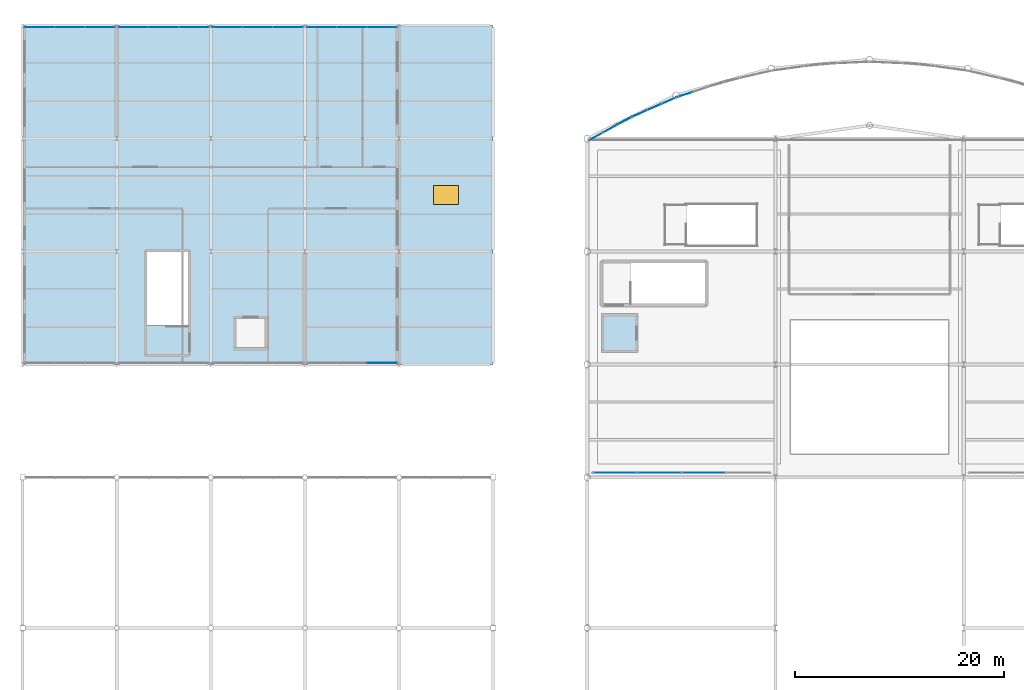
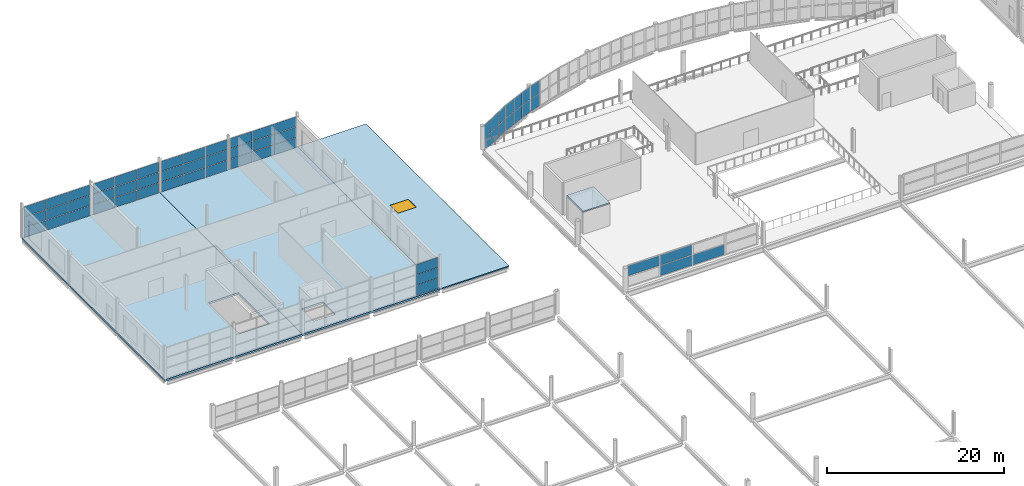
# One storey, part 115 of 134: 57 plates, 4 slabs, 1 window, 1 opening, 9 elements without a shape of their own.
"""IFC4 building model written with IfcOpenShell, lengths in metres."""

from ifc_helpers import new_model, si_unit, direction, frame, origin, origin_2d, place, context, subcontext, project, spatial, polyline, rectangle, outline, extrude, material, layer, layer_set, type_object, element, fill, aggregate, save


model = new_model("IFC4")

# Units and contexts
model_context = context("Model", 3, precision=1e-05, world=origin(), true_north=direction((0.0, 1.0)))
body_context = subcontext(model_context, "Body", "Model", "MODEL_VIEW")
ifc_project = project(units=[si_unit("LENGTHUNIT", "METRE"), si_unit("AREAUNIT", "SQUARE_METRE"), si_unit("VOLUMEUNIT", "CUBIC_METRE"), si_unit("PLANEANGLEUNIT", "RADIAN"), si_unit("MASSUNIT", "GRAM", prefix="KILO")], contexts=[model_context])

# Site, building, storey
site_placement = place(None, origin())
site = spatial("IfcSite", under=ifc_project, at=site_placement, CompositionType="ELEMENT")
building_placement = place(site_placement, origin())
building = spatial("IfcBuilding", under=site, at=building_placement, Name="Tamarisk Ironworks Central Station", CompositionType="ELEMENT")
storey_placement = place(building_placement, frame((0.0, 0.0, 12.60009765625)))
storey = spatial("IfcBuildingStorey", under=building, at=storey_placement, Name="L02", CompositionType="ELEMENT", Elevation=12.60009765625)

# Curtain wall, plates
ifc_material_1 = material(Name="Anodized aluminium alloy 6063-T6", Category="aluminium")
ifc_layer_1 = layer(ifc_material_1, 0.179931640625)
ifc_layer_set_1 = layer_set([ifc_layer_1], Name="Anodized aluminium alloy 6063-T6")
curtain_wall_type_1 = type_object("IfcCurtainWallType", Name="CW-24", PredefinedType="USERDEFINED", material=ifc_layer_set_1)
curtain_wall_1_placement = place(storey_placement, origin())
curtain_wall_1 = element("IfcCurtainWall", 1, at=curtain_wall_1_placement, inside=storey, type_object=curtain_wall_type_1, Name="Mezzanine south-west acoustic screen", ObjectType="GLAZED CURTAIN WALL", PredefinedType="USERDEFINED")
ifc_material_2 = material(Name="Laminated solar-control low-E glass", Category="glass")
ifc_layer_2 = layer(ifc_material_2, 0.02001953125)
ifc_layer_set_2 = layer_set([ifc_layer_2], Name="Laminated solar-control low-E glass")
plate_type_1 = type_object("IfcPlateType", Name="PL-CWP20", PredefinedType="CURTAIN_PANEL", material=ifc_layer_set_2)
plate_1_placement = place(storey_placement, frame((56.643798828125, 79.64990234375, 1.531494140625), z_axis=(0.0, 0.0, 1.0), x_axis=(1.0, 0.0, 0.0)))
plate_1 = element("IfcPlate", 2, at=plate_1_placement, type_object=plate_type_1, Name="CW24 panel 1.2", PredefinedType="CURTAIN_PANEL", context=body_context, shape_type="SweptSolid", body=[
    extrude(rectangle(XDim=4.1494140625, YDim=0.02001953125, at=origin_2d()), origin(), (0.0, 0.0, 1.0), 1.3994140625),
])
plate_2_placement = place(storey_placement, frame((60.875, 79.64990234375, 0.06884765625), z_axis=(0.0, 0.0, 1.0), x_axis=(1.0, 0.0, 0.0)))
plate_2 = element("IfcPlate", 3, at=plate_2_placement, type_object=plate_type_1, Name="CW24 panel 2.1", PredefinedType="CURTAIN_PANEL", context=body_context, shape_type="SweptSolid", body=[
    extrude(rectangle(XDim=4.18701171875, YDim=0.02001953125, at=origin_2d()), origin(), (0.0, 0.0, 1.0), 1.3994140625),
])
plate_3_placement = place(storey_placement, frame((60.875, 79.64990234375, 1.531494140625), z_axis=(0.0, 0.0, 1.0), x_axis=(1.0, 0.0, 0.0)))
plate_3 = element("IfcPlate", 4, at=plate_3_placement, type_object=plate_type_1, Name="CW24 panel 2.2", PredefinedType="CURTAIN_PANEL", context=body_context, shape_type="SweptSolid", body=[
    extrude(rectangle(XDim=4.18701171875, YDim=0.02001953125, at=origin_2d()), origin(), (0.0, 0.0, 1.0), 1.3994140625),
])
plate_4_placement = place(storey_placement, frame((65.125, 79.64990234375, 0.06884765625), z_axis=(0.0, 0.0, 1.0), x_axis=(1.0, 0.0, 0.0)))
plate_4 = element("IfcPlate", 5, at=plate_4_placement, type_object=plate_type_1, Name="CW24 panel 3.1", PredefinedType="CURTAIN_PANEL", context=body_context, shape_type="SweptSolid", body=[
    extrude(rectangle(XDim=4.18701171875, YDim=0.02001953125, at=origin_2d()), origin(), (0.0, 0.0, 1.0), 1.3994140625),
])
aggregate(curtain_wall_1, [plate_1, plate_2, plate_3, plate_4])

ifc_layer_3 = layer(ifc_material_1, 0.179931640625)
ifc_layer_set_3 = layer_set([ifc_layer_3], Name="Anodized aluminium alloy 6063-T6")
curtain_wall_type_2 = type_object("IfcCurtainWallType", Name="CW-03", PredefinedType="USERDEFINED", material=ifc_layer_set_3)
curtain_wall_2_placement = place(storey_placement, origin())
curtain_wall_2 = element("IfcCurtainWall", 6, at=curtain_wall_2_placement, inside=storey, type_object=curtain_wall_type_2, Name="NN rounded entrance hall L02 curtain wall bay 01", ObjectType="GLAZED CURTAIN WALL", PredefinedType="USERDEFINED")
ifc_layer_4 = layer(ifc_material_2, 0.028076171875)
ifc_layer_set_4 = layer_set([ifc_layer_4], Name="Laminated solar-control low-E glass")
plate_type_2 = type_object("IfcPlateType", Name="PL-CWP28", PredefinedType="CURTAIN_PANEL", material=ifc_layer_set_4)
plate_5_placement = place(storey_placement, frame((54.82080078125, 111.798583984375, -0.316162109375), z_axis=(0.0, 0.0, 1.0), x_axis=(0.877374910495, 0.47980544644, 0.0)))
plate_5 = element("IfcPlate", 7, at=plate_5_placement, type_object=plate_type_2, Name="CW03 panel 1.1", PredefinedType="CURTAIN_PANEL", context=body_context, shape_type="SweptSolid", body=[
    extrude(rectangle(XDim=1.469482421875, YDim=0.028076171875, at=origin_2d()), origin(), (0.0, 0.0, 1.0), 1.73193359375),
])
plate_6_placement = place(storey_placement, frame((54.82080078125, 111.798583984375, 1.47900390625), z_axis=(0.0, 0.0, 1.0), x_axis=(0.877374910495, 0.47980544644, 0.0)))
plate_6 = element("IfcPlate", 8, at=plate_6_placement, type_object=plate_type_2, Name="CW03 panel 1.2", PredefinedType="CURTAIN_PANEL", context=body_context, shape_type="SweptSolid", body=[
    extrude(rectangle(XDim=1.469482421875, YDim=0.028076171875, at=origin_2d()), origin(), (0.0, 0.0, 1.0), 1.73193359375),
])
plate_7_placement = place(storey_placement, frame((56.181640625, 112.542724609375, -0.316162109375), z_axis=(0.0, 0.0, 1.0), x_axis=(0.877374910495, 0.47980544644, 0.0)))
plate_7 = element("IfcPlate", 9, at=plate_7_placement, type_object=plate_type_2, Name="CW03 panel 2.1", PredefinedType="CURTAIN_PANEL", context=body_context, shape_type="SweptSolid", body=[
    extrude(rectangle(XDim=1.5068359375, YDim=0.028076171875, at=origin_2d()), origin(), (0.0, 0.0, 1.0), 1.73193359375),
])
plate_8_placement = place(storey_placement, frame((56.181640625, 112.542724609375, 1.47900390625), z_axis=(0.0, 0.0, 1.0), x_axis=(0.877374910495, 0.47980544644, 0.0)))
plate_8 = element("IfcPlate", 10, at=plate_8_placement, type_object=plate_type_2, Name="CW03 panel 2.2", PredefinedType="CURTAIN_PANEL", context=body_context, shape_type="SweptSolid", body=[
    extrude(rectangle(XDim=1.5068359375, YDim=0.028076171875, at=origin_2d()), origin(), (0.0, 0.0, 1.0), 1.73193359375),
])
plate_9_placement = place(storey_placement, frame((57.542724609375, 113.286865234375, -0.316162109375), z_axis=(0.0, 0.0, 1.0), x_axis=(0.877374910495, 0.47980544644, 0.0)))
plate_9 = element("IfcPlate", 11, at=plate_9_placement, type_object=plate_type_2, Name="CW03 panel 3.1", PredefinedType="CURTAIN_PANEL", context=body_context, shape_type="SweptSolid", body=[
    extrude(rectangle(XDim=1.469482421875, YDim=0.028076171875, at=origin_2d()), origin(), (0.0, 0.0, 1.0), 1.73193359375),
])
plate_10_placement = place(storey_placement, frame((57.542724609375, 113.286865234375, 1.47900390625), z_axis=(0.0, 0.0, 1.0), x_axis=(0.877374910495, 0.47980544644, 0.0)))
plate_10 = element("IfcPlate", 12, at=plate_10_placement, type_object=plate_type_2, Name="CW03 panel 3.2", PredefinedType="CURTAIN_PANEL", context=body_context, shape_type="SweptSolid", body=[
    extrude(rectangle(XDim=1.469482421875, YDim=0.028076171875, at=origin_2d()), origin(), (0.0, 0.0, 1.0), 1.73193359375),
])
aggregate(curtain_wall_2, [plate_5, plate_6, plate_7, plate_8, plate_9, plate_10])

curtain_wall_3_placement = place(storey_placement, origin())
curtain_wall_3 = element("IfcCurtainWall", 13, at=curtain_wall_3_placement, inside=storey, type_object=curtain_wall_type_2, Name="NN rounded entrance hall L02 curtain wall bay 02", ObjectType="GLAZED CURTAIN WALL", PredefinedType="USERDEFINED")
plate_11_placement = place(storey_placement, frame((58.985107421875, 113.992431640625, -0.316162109375), z_axis=(0.0, 0.0, 1.0), x_axis=(0.917352033503, 0.398076935564, 0.0)))
plate_11 = element("IfcPlate", 14, at=plate_11_placement, type_object=plate_type_2, Name="CW03 panel 1.1", PredefinedType="CURTAIN_PANEL", context=body_context, shape_type="SweptSolid", body=[
    extrude(rectangle(XDim=1.469482421875, YDim=0.028076171875, at=origin_2d()), origin(), (0.0, 0.0, 1.0), 1.73193359375),
])
plate_12_placement = place(storey_placement, frame((58.985107421875, 113.992431640625, 1.47900390625), z_axis=(0.0, 0.0, 1.0), x_axis=(0.917352033503, 0.398076935564, 0.0)))
plate_12 = element("IfcPlate", 15, at=plate_12_placement, type_object=plate_type_2, Name="CW03 panel 1.2", PredefinedType="CURTAIN_PANEL", context=body_context, shape_type="SweptSolid", body=[
    extrude(rectangle(XDim=1.469482421875, YDim=0.028076171875, at=origin_2d()), origin(), (0.0, 0.0, 1.0), 1.73193359375),
])
plate_13_placement = place(storey_placement, frame((60.407958984375, 114.610107421875, -0.316162109375), z_axis=(0.0, 0.0, 1.0), x_axis=(0.917352033503, 0.398076935564, 0.0)))
plate_13 = element("IfcPlate", 16, at=plate_13_placement, type_object=plate_type_2, Name="CW03 panel 2.1", PredefinedType="CURTAIN_PANEL", context=body_context, shape_type="SweptSolid", body=[
    extrude(rectangle(XDim=1.5068359375, YDim=0.028076171875, at=origin_2d()), origin(), (0.0, 0.0, 1.0), 1.73193359375),
])
plate_14_placement = place(storey_placement, frame((60.407958984375, 114.610107421875, 1.47900390625), z_axis=(0.0, 0.0, 1.0), x_axis=(0.917352033503, 0.398076935564, 0.0)))
plate_14 = element("IfcPlate", 17, at=plate_14_placement, type_object=plate_type_2, Name="CW03 panel 2.2", PredefinedType="CURTAIN_PANEL", context=body_context, shape_type="SweptSolid", body=[
    extrude(rectangle(XDim=1.5068359375, YDim=0.028076171875, at=origin_2d()), origin(), (0.0, 0.0, 1.0), 1.73193359375),
])
plate_15_placement = place(storey_placement, frame((61.8310546875, 115.2275390625, -0.316162109375), z_axis=(0.0, 0.0, 1.0), x_axis=(0.917352033503, 0.398076935564, 0.0)))
plate_15 = element("IfcPlate", 18, at=plate_15_placement, type_object=plate_type_2, Name="CW03 panel 3.1", PredefinedType="CURTAIN_PANEL", context=body_context, shape_type="SweptSolid", body=[
    extrude(rectangle(XDim=1.469482421875, YDim=0.028076171875, at=origin_2d()), origin(), (0.0, 0.0, 1.0), 1.73193359375),
])
plate_16_placement = place(storey_placement, frame((61.8310546875, 115.2275390625, 1.47900390625), z_axis=(0.0, 0.0, 1.0), x_axis=(0.917352033503, 0.398076935564, 0.0)))
plate_16 = element("IfcPlate", 19, at=plate_16_placement, type_object=plate_type_2, Name="CW03 panel 3.2", PredefinedType="CURTAIN_PANEL", context=body_context, shape_type="SweptSolid", body=[
    extrude(rectangle(XDim=1.469482421875, YDim=0.028076171875, at=origin_2d()), origin(), (0.0, 0.0, 1.0), 1.73193359375),
])
aggregate(curtain_wall_3, [plate_11, plate_12, plate_13, plate_14, plate_15, plate_16])

curtain_wall_4_placement = place(storey_placement, origin())
curtain_wall_4 = element("IfcCurtainWall", 20, at=curtain_wall_4_placement, inside=storey, type_object=curtain_wall_type_2, Name="NN rounded entrance hall L02 curtain wall bay 03", ObjectType="GLAZED CURTAIN WALL", PredefinedType="USERDEFINED")
plate_17_placement = place(storey_placement, frame((63.33154296875, 115.799072265625, -0.316162109375), z_axis=(0.0, 0.0, 1.0), x_axis=(0.949720671692, 0.313098460171, 0.0)))
plate_17 = element("IfcPlate", 21, at=plate_17_placement, type_object=plate_type_2, Name="CW03 panel 1.1", PredefinedType="CURTAIN_PANEL", context=body_context, shape_type="SweptSolid", body=[
    extrude(rectangle(XDim=1.469482421875, YDim=0.028076171875, at=origin_2d()), origin(), (0.0, 0.0, 1.0), 1.73193359375),
])
plate_18_placement = place(storey_placement, frame((63.33154296875, 115.799072265625, 1.47900390625), z_axis=(0.0, 0.0, 1.0), x_axis=(0.949720671692, 0.313098460171, 0.0)))
plate_18 = element("IfcPlate", 22, at=plate_18_placement, type_object=plate_type_2, Name="CW03 panel 1.2", PredefinedType="CURTAIN_PANEL", context=body_context, shape_type="SweptSolid", body=[
    extrude(rectangle(XDim=1.469482421875, YDim=0.028076171875, at=origin_2d()), origin(), (0.0, 0.0, 1.0), 1.73193359375),
])
aggregate(curtain_wall_4, [plate_17, plate_18])

ifc_layer_5 = layer(ifc_material_1, 0.179931640625)
ifc_layer_set_5 = layer_set([ifc_layer_5], Name="Anodized aluminium alloy 6063-T6")
curtain_wall_type_3 = type_object("IfcCurtainWallType", Name="CW-14", PredefinedType="USERDEFINED", material=ifc_layer_set_5)
curtain_wall_5_placement = place(storey_placement, origin())
curtain_wall_5 = element("IfcCurtainWall", 23, at=curtain_wall_5_placement, inside=storey, type_object=curtain_wall_type_3, Name="Pavilion L02 N glazed arcade 00", ObjectType="GLAZED CURTAIN WALL", PredefinedType="USERDEFINED")
plate_19_placement = place(storey_placement, frame((1.61376953125, 122.25, 0.0537109375), z_axis=(0.0, 0.0, 1.0), x_axis=(1.0, 0.0, 0.0)))
plate_19 = element("IfcPlate", 24, at=plate_19_placement, type_object=plate_type_2, Name="CW14 panel 1.1", PredefinedType="CURTAIN_PANEL", context=body_context, shape_type="SweptSolid", body=[
    extrude(rectangle(XDim=2.8232421875, YDim=0.028076171875, at=origin_2d()), origin(), (0.0, 0.0, 1.0), 1.375244140625),
])
plate_20_placement = place(storey_placement, frame((1.61376953125, 122.25, 1.47705078125), z_axis=(0.0, 0.0, 1.0), x_axis=(1.0, 0.0, 0.0)))
plate_20 = element("IfcPlate", 25, at=plate_20_placement, type_object=plate_type_2, Name="CW14 panel 1.2", PredefinedType="CURTAIN_PANEL", context=body_context, shape_type="SweptSolid", body=[
    extrude(rectangle(XDim=2.8232421875, YDim=0.028076171875, at=origin_2d()), origin(), (0.0, 0.0, 1.0), 1.405517578125),
])
plate_21_placement = place(storey_placement, frame((1.61376953125, 122.25, 2.9306640625), z_axis=(0.0, 0.0, 1.0), x_axis=(1.0, 0.0, 0.0)))
plate_21 = element("IfcPlate", 26, at=plate_21_placement, type_object=plate_type_2, Name="CW14 panel 1.3", PredefinedType="CURTAIN_PANEL", context=body_context, shape_type="SweptSolid", body=[
    extrude(rectangle(XDim=2.8232421875, YDim=0.028076171875, at=origin_2d()), origin(), (0.0, 0.0, 1.0), 1.375244140625),
])
plate_22_placement = place(storey_placement, frame((4.5, 122.25, 0.0537109375), z_axis=(0.0, 0.0, 1.0), x_axis=(1.0, 0.0, 0.0)))
plate_22 = element("IfcPlate", 27, at=plate_22_placement, type_object=plate_type_2, Name="CW14 panel 2.1", PredefinedType="CURTAIN_PANEL", context=body_context, shape_type="SweptSolid", body=[
    extrude(rectangle(XDim=2.853271484375, YDim=0.028076171875, at=origin_2d()), origin(), (0.0, 0.0, 1.0), 1.375244140625),
])
plate_23_placement = place(storey_placement, frame((4.5, 122.25, 1.47705078125), z_axis=(0.0, 0.0, 1.0), x_axis=(1.0, 0.0, 0.0)))
plate_23 = element("IfcPlate", 28, at=plate_23_placement, type_object=plate_type_2, Name="CW14 panel 2.2", PredefinedType="CURTAIN_PANEL", context=body_context, shape_type="SweptSolid", body=[
    extrude(rectangle(XDim=2.853271484375, YDim=0.028076171875, at=origin_2d()), origin(), (0.0, 0.0, 1.0), 1.405517578125),
])
plate_24_placement = place(storey_placement, frame((4.5, 122.25, 2.9306640625), z_axis=(0.0, 0.0, 1.0), x_axis=(1.0, 0.0, 0.0)))
plate_24 = element("IfcPlate", 29, at=plate_24_placement, type_object=plate_type_2, Name="CW14 panel 2.3", PredefinedType="CURTAIN_PANEL", context=body_context, shape_type="SweptSolid", body=[
    extrude(rectangle(XDim=2.853271484375, YDim=0.028076171875, at=origin_2d()), origin(), (0.0, 0.0, 1.0), 1.375244140625),
])
plate_25_placement = place(storey_placement, frame((7.38623046875, 122.25, 0.0537109375), z_axis=(0.0, 0.0, 1.0), x_axis=(1.0, 0.0, 0.0)))
plate_25 = element("IfcPlate", 30, at=plate_25_placement, type_object=plate_type_2, Name="CW14 panel 3.1", PredefinedType="CURTAIN_PANEL", context=body_context, shape_type="SweptSolid", body=[
    extrude(rectangle(XDim=2.8232421875, YDim=0.028076171875, at=origin_2d()), origin(), (0.0, 0.0, 1.0), 1.375244140625),
])
plate_26_placement = place(storey_placement, frame((7.38623046875, 122.25, 1.47705078125), z_axis=(0.0, 0.0, 1.0), x_axis=(1.0, 0.0, 0.0)))
plate_26 = element("IfcPlate", 31, at=plate_26_placement, type_object=plate_type_2, Name="CW14 panel 3.2", PredefinedType="CURTAIN_PANEL", context=body_context, shape_type="SweptSolid", body=[
    extrude(rectangle(XDim=2.8232421875, YDim=0.028076171875, at=origin_2d()), origin(), (0.0, 0.0, 1.0), 1.405517578125),
])
plate_27_placement = place(storey_placement, frame((7.38623046875, 122.25, 2.9306640625), z_axis=(0.0, 0.0, 1.0), x_axis=(1.0, 0.0, 0.0)))
plate_27 = element("IfcPlate", 32, at=plate_27_placement, type_object=plate_type_2, Name="CW14 panel 3.3", PredefinedType="CURTAIN_PANEL", context=body_context, shape_type="SweptSolid", body=[
    extrude(rectangle(XDim=2.8232421875, YDim=0.028076171875, at=origin_2d()), origin(), (0.0, 0.0, 1.0), 1.375244140625),
])
aggregate(curtain_wall_5, [plate_19, plate_20, plate_21, plate_22, plate_23, plate_24, plate_25, plate_26, plate_27])

curtain_wall_6_placement = place(storey_placement, origin())
curtain_wall_6 = element("IfcCurtainWall", 33, at=curtain_wall_6_placement, inside=storey, type_object=curtain_wall_type_3, Name="Pavilion L02 N glazed arcade 09", ObjectType="GLAZED CURTAIN WALL", PredefinedType="USERDEFINED")
plate_28_placement = place(storey_placement, frame((10.61376953125, 122.25, 0.0537109375), z_axis=(0.0, 0.0, 1.0), x_axis=(1.0, 0.0, 0.0)))
plate_28 = element("IfcPlate", 34, at=plate_28_placement, type_object=plate_type_2, Name="CW14 panel 1.1", PredefinedType="CURTAIN_PANEL", context=body_context, shape_type="SweptSolid", body=[
    extrude(rectangle(XDim=2.8232421875, YDim=0.028076171875, at=origin_2d()), origin(), (0.0, 0.0, 1.0), 1.375244140625),
])
plate_29_placement = place(storey_placement, frame((10.61376953125, 122.25, 1.47705078125), z_axis=(0.0, 0.0, 1.0), x_axis=(1.0, 0.0, 0.0)))
plate_29 = element("IfcPlate", 35, at=plate_29_placement, type_object=plate_type_2, Name="CW14 panel 1.2", PredefinedType="CURTAIN_PANEL", context=body_context, shape_type="SweptSolid", body=[
    extrude(rectangle(XDim=2.8232421875, YDim=0.028076171875, at=origin_2d()), origin(), (0.0, 0.0, 1.0), 1.405517578125),
])
plate_30_placement = place(storey_placement, frame((10.61376953125, 122.25, 2.9306640625), z_axis=(0.0, 0.0, 1.0), x_axis=(1.0, 0.0, 0.0)))
plate_30 = element("IfcPlate", 36, at=plate_30_placement, type_object=plate_type_2, Name="CW14 panel 1.3", PredefinedType="CURTAIN_PANEL", context=body_context, shape_type="SweptSolid", body=[
    extrude(rectangle(XDim=2.8232421875, YDim=0.028076171875, at=origin_2d()), origin(), (0.0, 0.0, 1.0), 1.375244140625),
])
plate_31_placement = place(storey_placement, frame((13.5, 122.25, 0.0537109375), z_axis=(0.0, 0.0, 1.0), x_axis=(1.0, 0.0, 0.0)))
plate_31 = element("IfcPlate", 37, at=plate_31_placement, type_object=plate_type_2, Name="CW14 panel 2.1", PredefinedType="CURTAIN_PANEL", context=body_context, shape_type="SweptSolid", body=[
    extrude(rectangle(XDim=2.853271484375, YDim=0.028076171875, at=origin_2d()), origin(), (0.0, 0.0, 1.0), 1.375244140625),
])
plate_32_placement = place(storey_placement, frame((13.5, 122.25, 1.47705078125), z_axis=(0.0, 0.0, 1.0), x_axis=(1.0, 0.0, 0.0)))
plate_32 = element("IfcPlate", 38, at=plate_32_placement, type_object=plate_type_2, Name="CW14 panel 2.2", PredefinedType="CURTAIN_PANEL", context=body_context, shape_type="SweptSolid", body=[
    extrude(rectangle(XDim=2.853271484375, YDim=0.028076171875, at=origin_2d()), origin(), (0.0, 0.0, 1.0), 1.405517578125),
])
plate_33_placement = place(storey_placement, frame((13.5, 122.25, 2.9306640625), z_axis=(0.0, 0.0, 1.0), x_axis=(1.0, 0.0, 0.0)))
plate_33 = element("IfcPlate", 39, at=plate_33_placement, type_object=plate_type_2, Name="CW14 panel 2.3", PredefinedType="CURTAIN_PANEL", context=body_context, shape_type="SweptSolid", body=[
    extrude(rectangle(XDim=2.853271484375, YDim=0.028076171875, at=origin_2d()), origin(), (0.0, 0.0, 1.0), 1.375244140625),
])
plate_34_placement = place(storey_placement, frame((16.38623046875, 122.25, 0.0537109375), z_axis=(0.0, 0.0, 1.0), x_axis=(1.0, 0.0, 0.0)))
plate_34 = element("IfcPlate", 40, at=plate_34_placement, type_object=plate_type_2, Name="CW14 panel 3.1", PredefinedType="CURTAIN_PANEL", context=body_context, shape_type="SweptSolid", body=[
    extrude(rectangle(XDim=2.8232421875, YDim=0.028076171875, at=origin_2d()), origin(), (0.0, 0.0, 1.0), 1.375244140625),
])
plate_35_placement = place(storey_placement, frame((16.38623046875, 122.25, 1.47705078125), z_axis=(0.0, 0.0, 1.0), x_axis=(1.0, 0.0, 0.0)))
plate_35 = element("IfcPlate", 41, at=plate_35_placement, type_object=plate_type_2, Name="CW14 panel 3.2", PredefinedType="CURTAIN_PANEL", context=body_context, shape_type="SweptSolid", body=[
    extrude(rectangle(XDim=2.8232421875, YDim=0.028076171875, at=origin_2d()), origin(), (0.0, 0.0, 1.0), 1.405517578125),
])
plate_36_placement = place(storey_placement, frame((16.38623046875, 122.25, 2.9306640625), z_axis=(0.0, 0.0, 1.0), x_axis=(1.0, 0.0, 0.0)))
plate_36 = element("IfcPlate", 42, at=plate_36_placement, type_object=plate_type_2, Name="CW14 panel 3.3", PredefinedType="CURTAIN_PANEL", context=body_context, shape_type="SweptSolid", body=[
    extrude(rectangle(XDim=2.8232421875, YDim=0.028076171875, at=origin_2d()), origin(), (0.0, 0.0, 1.0), 1.375244140625),
])
aggregate(curtain_wall_6, [plate_28, plate_29, plate_30, plate_31, plate_32, plate_33, plate_34, plate_35, plate_36])

curtain_wall_7_placement = place(storey_placement, origin())
curtain_wall_7 = element("IfcCurtainWall", 43, at=curtain_wall_7_placement, inside=storey, type_object=curtain_wall_type_3, Name="Pavilion L02 N glazed arcade 18", ObjectType="GLAZED CURTAIN WALL", PredefinedType="USERDEFINED")
plate_37_placement = place(storey_placement, frame((19.61376953125, 122.25, 0.0537109375), z_axis=(0.0, 0.0, 1.0), x_axis=(1.0, 0.0, 0.0)))
plate_37 = element("IfcPlate", 44, at=plate_37_placement, type_object=plate_type_2, Name="CW14 panel 1.1", PredefinedType="CURTAIN_PANEL", context=body_context, shape_type="SweptSolid", body=[
    extrude(rectangle(XDim=2.8232421875, YDim=0.028076171875, at=origin_2d()), origin(), (0.0, 0.0, 1.0), 1.375244140625),
])
plate_38_placement = place(storey_placement, frame((19.61376953125, 122.25, 1.47705078125), z_axis=(0.0, 0.0, 1.0), x_axis=(1.0, 0.0, 0.0)))
plate_38 = element("IfcPlate", 45, at=plate_38_placement, type_object=plate_type_2, Name="CW14 panel 1.2", PredefinedType="CURTAIN_PANEL", context=body_context, shape_type="SweptSolid", body=[
    extrude(rectangle(XDim=2.8232421875, YDim=0.028076171875, at=origin_2d()), origin(), (0.0, 0.0, 1.0), 1.405517578125),
])
plate_39_placement = place(storey_placement, frame((19.61376953125, 122.25, 2.9306640625), z_axis=(0.0, 0.0, 1.0), x_axis=(1.0, 0.0, 0.0)))
plate_39 = element("IfcPlate", 46, at=plate_39_placement, type_object=plate_type_2, Name="CW14 panel 1.3", PredefinedType="CURTAIN_PANEL", context=body_context, shape_type="SweptSolid", body=[
    extrude(rectangle(XDim=2.8232421875, YDim=0.028076171875, at=origin_2d()), origin(), (0.0, 0.0, 1.0), 1.375244140625),
])
plate_40_placement = place(storey_placement, frame((22.5, 122.25, 0.0537109375), z_axis=(0.0, 0.0, 1.0), x_axis=(1.0, 0.0, 0.0)))
plate_40 = element("IfcPlate", 47, at=plate_40_placement, type_object=plate_type_2, Name="CW14 panel 2.1", PredefinedType="CURTAIN_PANEL", context=body_context, shape_type="SweptSolid", body=[
    extrude(rectangle(XDim=2.853271484375, YDim=0.028076171875, at=origin_2d()), origin(), (0.0, 0.0, 1.0), 1.375244140625),
])
plate_41_placement = place(storey_placement, frame((22.5, 122.25, 1.47705078125), z_axis=(0.0, 0.0, 1.0), x_axis=(1.0, 0.0, 0.0)))
plate_41 = element("IfcPlate", 48, at=plate_41_placement, type_object=plate_type_2, Name="CW14 panel 2.2", PredefinedType="CURTAIN_PANEL", context=body_context, shape_type="SweptSolid", body=[
    extrude(rectangle(XDim=2.853271484375, YDim=0.028076171875, at=origin_2d()), origin(), (0.0, 0.0, 1.0), 1.405517578125),
])
plate_42_placement = place(storey_placement, frame((22.5, 122.25, 2.9306640625), z_axis=(0.0, 0.0, 1.0), x_axis=(1.0, 0.0, 0.0)))
plate_42 = element("IfcPlate", 49, at=plate_42_placement, type_object=plate_type_2, Name="CW14 panel 2.3", PredefinedType="CURTAIN_PANEL", context=body_context, shape_type="SweptSolid", body=[
    extrude(rectangle(XDim=2.853271484375, YDim=0.028076171875, at=origin_2d()), origin(), (0.0, 0.0, 1.0), 1.375244140625),
])
plate_43_placement = place(storey_placement, frame((25.38623046875, 122.25, 0.0537109375), z_axis=(0.0, 0.0, 1.0), x_axis=(1.0, 0.0, 0.0)))
plate_43 = element("IfcPlate", 50, at=plate_43_placement, type_object=plate_type_2, Name="CW14 panel 3.1", PredefinedType="CURTAIN_PANEL", context=body_context, shape_type="SweptSolid", body=[
    extrude(rectangle(XDim=2.8232421875, YDim=0.028076171875, at=origin_2d()), origin(), (0.0, 0.0, 1.0), 1.375244140625),
])
plate_44_placement = place(storey_placement, frame((25.38623046875, 122.25, 1.47705078125), z_axis=(0.0, 0.0, 1.0), x_axis=(1.0, 0.0, 0.0)))
plate_44 = element("IfcPlate", 51, at=plate_44_placement, type_object=plate_type_2, Name="CW14 panel 3.2", PredefinedType="CURTAIN_PANEL", context=body_context, shape_type="SweptSolid", body=[
    extrude(rectangle(XDim=2.8232421875, YDim=0.028076171875, at=origin_2d()), origin(), (0.0, 0.0, 1.0), 1.405517578125),
])
plate_45_placement = place(storey_placement, frame((25.38623046875, 122.25, 2.9306640625), z_axis=(0.0, 0.0, 1.0), x_axis=(1.0, 0.0, 0.0)))
plate_45 = element("IfcPlate", 52, at=plate_45_placement, type_object=plate_type_2, Name="CW14 panel 3.3", PredefinedType="CURTAIN_PANEL", context=body_context, shape_type="SweptSolid", body=[
    extrude(rectangle(XDim=2.8232421875, YDim=0.028076171875, at=origin_2d()), origin(), (0.0, 0.0, 1.0), 1.375244140625),
])
aggregate(curtain_wall_7, [plate_37, plate_38, plate_39, plate_40, plate_41, plate_42, plate_43, plate_44, plate_45])

ifc_layer_6 = layer(ifc_material_1, 0.179931640625)
ifc_layer_set_6 = layer_set([ifc_layer_6], Name="Anodized aluminium alloy 6063-T6")
curtain_wall_type_4 = type_object("IfcCurtainWallType", Name="CW-11", PredefinedType="USERDEFINED", material=ifc_layer_set_6)
curtain_wall_8_placement = place(storey_placement, origin())
curtain_wall_8 = element("IfcCurtainWall", 53, at=curtain_wall_8_placement, inside=storey, type_object=curtain_wall_type_4, Name="Pavilion L02 S glazed arcade 27", ObjectType="GLAZED CURTAIN WALL", PredefinedType="USERDEFINED")
plate_46_placement = place(storey_placement, frame((34.38623046875, 90.14990234375, 0.0537109375), z_axis=(0.0, 0.0, 1.0), x_axis=(1.0, 0.0, 0.0)))
plate_46 = element("IfcPlate", 54, at=plate_46_placement, type_object=plate_type_2, Name="CW11 panel 3.1", PredefinedType="CURTAIN_PANEL", context=body_context, shape_type="SweptSolid", body=[
    extrude(rectangle(XDim=2.8232421875, YDim=0.028076171875, at=origin_2d()), origin(), (0.0, 0.0, 1.0), 1.375244140625),
])
plate_47_placement = place(storey_placement, frame((34.38623046875, 90.14990234375, 1.47705078125), z_axis=(0.0, 0.0, 1.0), x_axis=(1.0, 0.0, 0.0)))
plate_47 = element("IfcPlate", 55, at=plate_47_placement, type_object=plate_type_2, Name="CW11 panel 3.2", PredefinedType="CURTAIN_PANEL", context=body_context, shape_type="SweptSolid", body=[
    extrude(rectangle(XDim=2.8232421875, YDim=0.028076171875, at=origin_2d()), origin(), (0.0, 0.0, 1.0), 1.405517578125),
])
plate_48_placement = place(storey_placement, frame((34.38623046875, 90.14990234375, 2.9306640625), z_axis=(0.0, 0.0, 1.0), x_axis=(1.0, 0.0, 0.0)))
plate_48 = element("IfcPlate", 56, at=plate_48_placement, type_object=plate_type_2, Name="CW11 panel 3.3", PredefinedType="CURTAIN_PANEL", context=body_context, shape_type="SweptSolid", body=[
    extrude(rectangle(XDim=2.8232421875, YDim=0.028076171875, at=origin_2d()), origin(), (0.0, 0.0, 1.0), 1.375244140625),
])
aggregate(curtain_wall_8, [plate_46, plate_47, plate_48])

curtain_wall_9_placement = place(storey_placement, origin())
curtain_wall_9 = element("IfcCurtainWall", 57, at=curtain_wall_9_placement, inside=storey, type_object=curtain_wall_type_3, Name="Pavilion L02 N glazed arcade 27", ObjectType="GLAZED CURTAIN WALL", PredefinedType="USERDEFINED")
plate_49_placement = place(storey_placement, frame((28.61376953125, 122.25, 0.0537109375), z_axis=(0.0, 0.0, 1.0), x_axis=(1.0, 0.0, 0.0)))
plate_49 = element("IfcPlate", 58, at=plate_49_placement, type_object=plate_type_2, Name="CW14 panel 1.1", PredefinedType="CURTAIN_PANEL", context=body_context, shape_type="SweptSolid", body=[
    extrude(rectangle(XDim=2.8232421875, YDim=0.028076171875, at=origin_2d()), origin(), (0.0, 0.0, 1.0), 1.375244140625),
])
plate_50_placement = place(storey_placement, frame((28.61376953125, 122.25, 1.47705078125), z_axis=(0.0, 0.0, 1.0), x_axis=(1.0, 0.0, 0.0)))
plate_50 = element("IfcPlate", 59, at=plate_50_placement, type_object=plate_type_2, Name="CW14 panel 1.2", PredefinedType="CURTAIN_PANEL", context=body_context, shape_type="SweptSolid", body=[
    extrude(rectangle(XDim=2.8232421875, YDim=0.028076171875, at=origin_2d()), origin(), (0.0, 0.0, 1.0), 1.405517578125),
])
plate_51_placement = place(storey_placement, frame((28.61376953125, 122.25, 2.9306640625), z_axis=(0.0, 0.0, 1.0), x_axis=(1.0, 0.0, 0.0)))
plate_51 = element("IfcPlate", 60, at=plate_51_placement, type_object=plate_type_2, Name="CW14 panel 1.3", PredefinedType="CURTAIN_PANEL", context=body_context, shape_type="SweptSolid", body=[
    extrude(rectangle(XDim=2.8232421875, YDim=0.028076171875, at=origin_2d()), origin(), (0.0, 0.0, 1.0), 1.375244140625),
])
plate_52_placement = place(storey_placement, frame((31.5, 122.25, 0.0537109375), z_axis=(0.0, 0.0, 1.0), x_axis=(1.0, 0.0, 0.0)))
plate_52 = element("IfcPlate", 61, at=plate_52_placement, type_object=plate_type_2, Name="CW14 panel 2.1", PredefinedType="CURTAIN_PANEL", context=body_context, shape_type="SweptSolid", body=[
    extrude(rectangle(XDim=2.853271484375, YDim=0.028076171875, at=origin_2d()), origin(), (0.0, 0.0, 1.0), 1.375244140625),
])
plate_53_placement = place(storey_placement, frame((31.5, 122.25, 1.47705078125), z_axis=(0.0, 0.0, 1.0), x_axis=(1.0, 0.0, 0.0)))
plate_53 = element("IfcPlate", 62, at=plate_53_placement, type_object=plate_type_2, Name="CW14 panel 2.2", PredefinedType="CURTAIN_PANEL", context=body_context, shape_type="SweptSolid", body=[
    extrude(rectangle(XDim=2.853271484375, YDim=0.028076171875, at=origin_2d()), origin(), (0.0, 0.0, 1.0), 1.405517578125),
])
plate_54_placement = place(storey_placement, frame((31.5, 122.25, 2.9306640625), z_axis=(0.0, 0.0, 1.0), x_axis=(1.0, 0.0, 0.0)))
plate_54 = element("IfcPlate", 63, at=plate_54_placement, type_object=plate_type_2, Name="CW14 panel 2.3", PredefinedType="CURTAIN_PANEL", context=body_context, shape_type="SweptSolid", body=[
    extrude(rectangle(XDim=2.853271484375, YDim=0.028076171875, at=origin_2d()), origin(), (0.0, 0.0, 1.0), 1.375244140625),
])
plate_55_placement = place(storey_placement, frame((34.38623046875, 122.25, 0.0537109375), z_axis=(0.0, 0.0, 1.0), x_axis=(1.0, 0.0, 0.0)))
plate_55 = element("IfcPlate", 64, at=plate_55_placement, type_object=plate_type_2, Name="CW14 panel 3.1", PredefinedType="CURTAIN_PANEL", context=body_context, shape_type="SweptSolid", body=[
    extrude(rectangle(XDim=2.8232421875, YDim=0.028076171875, at=origin_2d()), origin(), (0.0, 0.0, 1.0), 1.375244140625),
])
plate_56_placement = place(storey_placement, frame((34.38623046875, 122.25, 1.47705078125), z_axis=(0.0, 0.0, 1.0), x_axis=(1.0, 0.0, 0.0)))
plate_56 = element("IfcPlate", 65, at=plate_56_placement, type_object=plate_type_2, Name="CW14 panel 3.2", PredefinedType="CURTAIN_PANEL", context=body_context, shape_type="SweptSolid", body=[
    extrude(rectangle(XDim=2.8232421875, YDim=0.028076171875, at=origin_2d()), origin(), (0.0, 0.0, 1.0), 1.405517578125),
])
plate_57_placement = place(storey_placement, frame((34.38623046875, 122.25, 2.9306640625), z_axis=(0.0, 0.0, 1.0), x_axis=(1.0, 0.0, 0.0)))
plate_57 = element("IfcPlate", 66, at=plate_57_placement, type_object=plate_type_2, Name="CW14 panel 3.3", PredefinedType="CURTAIN_PANEL", context=body_context, shape_type="SweptSolid", body=[
    extrude(rectangle(XDim=2.8232421875, YDim=0.028076171875, at=origin_2d()), origin(), (0.0, 0.0, 1.0), 1.375244140625),
])
aggregate(curtain_wall_9, [plate_49, plate_50, plate_51, plate_52, plate_53, plate_54, plate_55, plate_56, plate_57])

# Slabs
ifc_material_3 = material(Name="Concrete C35/45", Category="concrete")
ifc_layer_7 = layer(ifc_material_3, 0.25)
ifc_layer_set_7 = layer_set([ifc_layer_7], Name="Concrete C35/45")
slab_type_1 = type_object("IfcSlabType", Name="SL-FL250", PredefinedType="FLOOR", material=ifc_layer_set_7)
slab_1_placement = place(storey_placement, frame((0.0, 0.0, -0.25)))
element("IfcSlab", 67, at=slab_1_placement, inside=storey, type_object=slab_type_1, Name="L02 Mezzanine and Upper Floor Slab V4-TOP1", PredefinedType="FLOOR", context=body_context, shape_type="SweptSolid", body=[
    extrude(outline(polyline([(0.0, 90.0), (18.0, 90.0), (18.0, 122.39990234375), (0.0, 122.39990234375), (0.0, 90.0)]), holes=[polyline([(15.800048828125, 93.699951171875), (15.800048828125, 100.75), (11.89990234375, 100.75), (11.89990234375, 93.699951171875), (15.800048828125, 93.699951171875)])]), origin(), (0.0, 0.0, 1.0), 0.25),
])
slab_2_placement = place(storey_placement, frame((0.0, 0.0, -0.25)))
element("IfcSlab", 68, at=slab_2_placement, inside=storey, type_object=slab_type_1, Name="L02 Mezzanine and Upper Floor Slab V4-TOP2", PredefinedType="FLOOR", context=body_context, shape_type="SweptSolid", body=[
    extrude(outline(polyline([(18.0, 90.0), (36.0, 90.0), (36.0, 122.39990234375), (18.0, 122.39990234375), (18.0, 90.0)]), holes=[polyline([(20.39990234375, 91.60009765625), (23.199951171875, 91.60009765625), (23.199951171875, 94.39990234375), (20.39990234375, 94.39990234375), (20.39990234375, 91.60009765625)])]), origin(), (0.0, 0.0, 1.0), 0.25),
])

# Slab, opening, window
ifc_layer_8 = layer(ifc_material_3, 0.159912109375)
ifc_layer_set_8 = layer_set([ifc_layer_8], Name="Concrete C35/45")
slab_type_2 = type_object("IfcSlabType", Name="SL-RF160", PredefinedType="ROOF", material=ifc_layer_set_8)
slab_3_placement = place(storey_placement, frame((0.0, 0.0, -0.16015625)))
slab_3 = element("IfcSlab", 69, at=slab_3_placement, inside=storey, type_object=slab_type_2, Name="L02 Setback Roof Slab V4-RF-STEP", PredefinedType="ROOF", context=body_context, shape_type="SweptSolid", body=[
    extrude(outline(polyline([(36.0, 90.0), (45.0, 90.0), (45.0, 122.39990234375), (36.0, 122.39990234375), (36.0, 90.0)])), origin(), (0.0, 0.0, 1.0), 0.16015625),
])
opening_placement = place(slab_3_placement, frame((40.5, 106.199951171875, 0.0)))
opening = element("IfcOpeningElement", 70, at=opening_placement, cuts=slab_3, Name="Opening SK03", PredefinedType="OPENING", context=body_context, shape_type="SweptSolid", body=[
    extrude(rectangle(XDim=2.39990234375, YDim=1.800048828125, at=origin_2d()), frame((0.0, 0.0, -0.011962890625)), (0.0, 0.0, 1.0), 0.18408203125),
])
window_type = type_object("IfcWindowType", Name="SK-03", PartitioningType="SINGLE_PANEL", PredefinedType="SKYLIGHT", material=ifc_material_2)
window_placement = place(opening_placement, frame((0.0, 0.0, 0.105224609375)))
window = element("IfcWindow", 71, at=window_placement, inside=storey, type_object=window_type, Name="L02 roof skylight 005", OverallHeight=1.800048828125, OverallWidth=2.39990234375, PartitioningType="SINGLE_PANEL", PredefinedType="SKYLIGHT", context=body_context, shape_type="SweptSolid", body=[
    extrude(rectangle(XDim=2.39990234375, YDim=1.800048828125, at=origin_2d()), origin(), (0.0, 0.0, 1.0), 0.050048828125),
])
fill(opening, window)

# Slab
slab_4_placement = place(storey_placement, frame((0.0, 0.0, 3.0498046875)))
element("IfcSlab", 72, at=slab_4_placement, inside=storey, type_object=slab_type_2, Name="LF-C1 shaft overrun cap slab", PredefinedType="ROOF", context=body_context, shape_type="SweptSolid", body=[
    extrude(outline(polyline([(55.35009765625, 91.14990234375), (58.85009765625, 91.14990234375), (58.85009765625, 94.85009765625), (55.35009765625, 94.85009765625), (55.35009765625, 91.14990234375)])), origin(), (0.0, 0.0, 1.0), 0.16015625),
])

save(model, "model.ifc")
